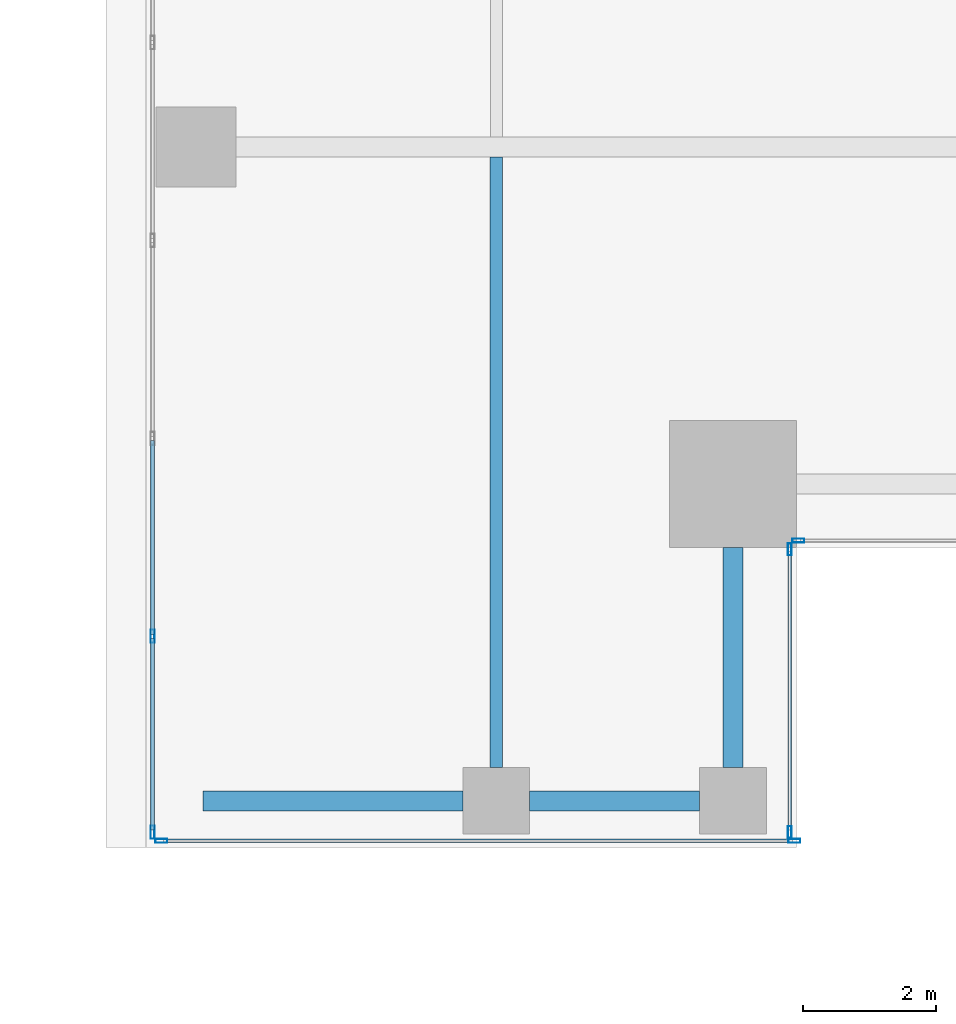
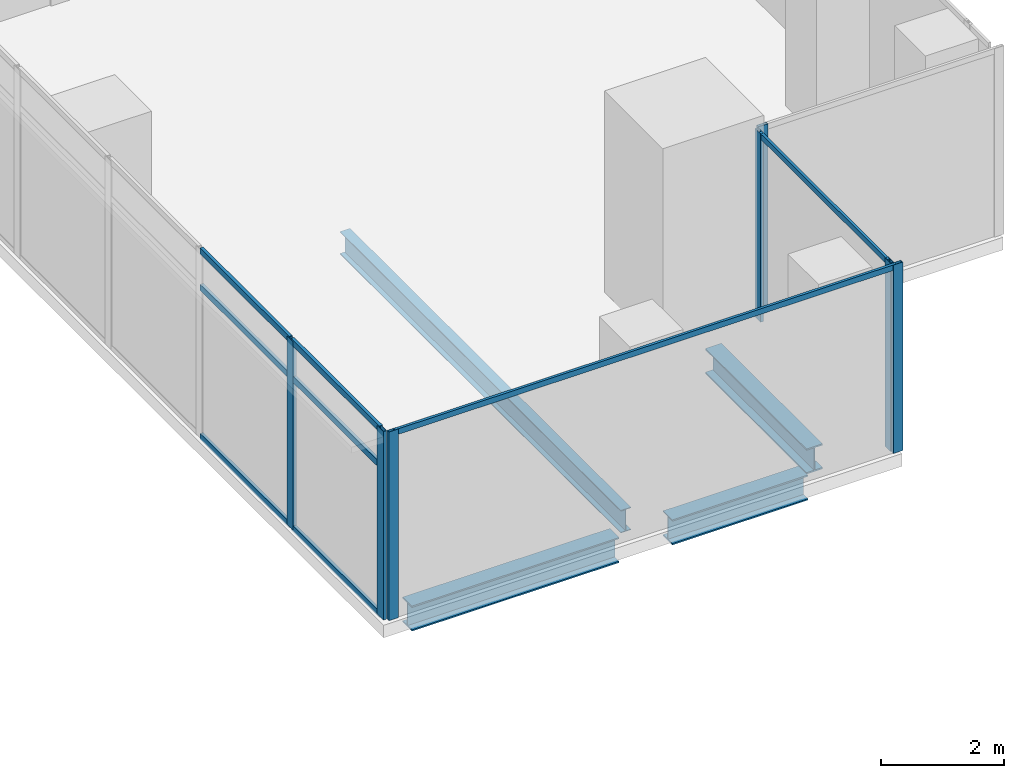
# One storey, part 9 of 40: 15 members, 4 beams, 4 elements without a shape of their own.
"""IFC4 building model written with IfcOpenShell, lengths in metres."""

from ifc_helpers import new_model, si_unit, direction, frame, origin, origin_2d, place, context, subcontext, project, spatial, hollow_rectangle, i_section, extrude, source, transform, mapped, material, material_profile, profile_set, type_object, element, aggregate, save


model = new_model("IFC4")

# Units and contexts
model_context = context("Model", 3, precision=1e-05, world=origin(), true_north=direction((0.0, 1.0)))
body_context = subcontext(model_context, "Body", "Model", "MODEL_VIEW")
ifc_project = project(units=[si_unit("LENGTHUNIT", "METRE"), si_unit("AREAUNIT", "SQUARE_METRE"), si_unit("VOLUMEUNIT", "CUBIC_METRE"), si_unit("PLANEANGLEUNIT", "RADIAN"), si_unit("MASSUNIT", "GRAM", prefix="KILO")], contexts=[model_context])

# Site, building, storey
site_placement = place(None, origin())
site = spatial("IfcSite", under=ifc_project, at=site_placement, CompositionType="ELEMENT")
building_placement = place(site_placement, origin())
building = spatial("IfcBuilding", under=site, at=building_placement, Name="Khomas Fold Tower", CompositionType="ELEMENT")
storey_placement = place(building_placement, frame((0.0, 0.0, 176.699951171875)))
storey = spatial("IfcBuildingStorey", under=building, at=storey_placement, Name="L38", CompositionType="ELEMENT", Elevation=176.699951171875)

# Beams
ifc_material_1 = material(Name="Steel S355", Category="steel")
ifc_material_profile_1 = material_profile(ifc_material_1, i_section(OverallWidth=0.300048828125, OverallDepth=0.5, WebThickness=0.014404296875, FlangeThickness=0.028076171875, at=origin_2d()), Name="HE 500 B")
ifc_profile_set_1 = profile_set([ifc_material_profile_1], Name="Steel S355")
beam_type_1 = type_object("IfcBeamType", Name="HE 500 B spandrel SB3", PredefinedType="SPANDREL", material=ifc_profile_set_1)
shared_shape_1 = source(origin(), body_context, "Body", "SweptSolid", [
    extrude(i_section(OverallWidth=0.300048828125, OverallDepth=0.5, WebThickness=0.014404296875, FlangeThickness=0.028076171875, at=origin_2d()), origin(), (0.0, 0.0, 1.0), 2.550048828125),
])
beam_1_placement = place(storey_placement, frame((42.5, 3.699951171875, -0.5), z_axis=(1.0, 0.0, 0.0), x_axis=(0.0, 1.0, 0.0)))
element("IfcBeam", 1, at=beam_1_placement, inside=storey, type_object=beam_type_1, Name="SB3", PredefinedType="SPANDREL", context=body_context, shape_type="MappedRepresentation", body=[
    mapped(shared_shape_1, transform((0.0, 0.0, 0.0))),
])
shared_shape_2 = source(origin(), body_context, "Body", "SweptSolid", [
    extrude(i_section(OverallWidth=0.300048828125, OverallDepth=0.5, WebThickness=0.014404296875, FlangeThickness=0.028076171875, at=origin_2d()), origin(), (0.0, 0.0, 1.0), 3.89990234375),
])
beam_2_placement = place(storey_placement, frame((37.60009765625, 3.699951171875, -0.5), z_axis=(1.0, 0.0, 0.0), x_axis=(0.0, 1.0, 0.0)))
element("IfcBeam", 2, at=beam_2_placement, inside=storey, type_object=beam_type_1, Name="SB3", PredefinedType="SPANDREL", context=body_context, shape_type="MappedRepresentation", body=[
    mapped(shared_shape_2, transform((0.0, 0.0, 0.0))),
])
shared_shape_3 = source(origin(), body_context, "Body", "SweptSolid", [
    extrude(i_section(OverallWidth=0.300048828125, OverallDepth=0.5, WebThickness=0.014404296875, FlangeThickness=0.028076171875, at=origin_2d()), origin(), (0.0, 0.0, 1.0), 3.300048828125),
])
beam_3_placement = place(storey_placement, frame((45.550048828125, 4.199951171875, -0.5), z_axis=(0.0, 1.0, 0.0), x_axis=(-1.0, 0.0, 0.0)))
element("IfcBeam", 3, at=beam_3_placement, inside=storey, type_object=beam_type_1, Name="SB3", PredefinedType="SPANDREL", context=body_context, shape_type="MappedRepresentation", body=[
    mapped(shared_shape_3, transform((0.0, 0.0, 0.0))),
])
ifc_material_2 = material(Name="Steel S355", Category="steel")
ifc_material_profile_2 = material_profile(ifc_material_2, i_section(OverallWidth=0.18994140625, OverallDepth=0.449951171875, WebThickness=0.009521484375, FlangeThickness=0.0146484375, at=origin_2d()), Name="IPE 450")
ifc_profile_set_2 = profile_set([ifc_material_profile_2], Name="Steel S355")
beam_type_2 = type_object("IfcBeamType", Name="IPE 450 beam JB4", PredefinedType="BEAM", material=ifc_profile_set_2)
shared_shape_4 = source(origin(), body_context, "Body", "SweptSolid", [
    extrude(i_section(OverallWidth=0.18994140625, OverallDepth=0.449951171875, WebThickness=0.009521484375, FlangeThickness=0.0146484375, at=origin_2d()), origin(), (0.0, 0.0, 1.0), 9.150146484375),
])
beam_4_placement = place(storey_placement, frame((42.0, 4.199951171875, -0.474853515625), z_axis=(0.0, 1.0, 0.0), x_axis=(-1.0, 0.0, 0.0)))
element("IfcBeam", 4, at=beam_4_placement, inside=storey, type_object=beam_type_2, Name="JB4", PredefinedType="BEAM", context=body_context, shape_type="MappedRepresentation", body=[
    mapped(shared_shape_4, transform((0.0, 0.0, 0.0))),
])

# Curtain wall, members
ifc_material_3 = material(Name="Aluminium framed double glazing", Category="aluminium")
curtain_wall_type_1 = type_object("IfcCurtainWallType", Name="SK-Unitised clear-glass wall, office floors CW2", PredefinedType="NOTDEFINED", material=ifc_material_3)
curtain_wall_1_placement = place(storey_placement, origin())
curtain_wall_1 = element("IfcCurtainWall", 5, at=curtain_wall_1_placement, inside=storey, type_object=curtain_wall_type_1, Name="CW2 run L38 05-0", PredefinedType="NOTDEFINED")
ifc_material_4 = material(Name="Aluminium", Category="aluminium")
ifc_material_profile_3 = material_profile(ifc_material_4, hollow_rectangle(XDim=0.06005859375, YDim=0.179931640625, WallThickness=0.00390625, at=origin_2d()), Name="SK-Unitised clear-glass wall, office floors mullion CW2-M")
ifc_profile_set_3 = profile_set([ifc_material_profile_3], Name="Aluminium")
member_type_1 = type_object("IfcMemberType", Name="SK-Unitised clear-glass wall, office floors mullion CW2-M", PredefinedType="MULLION", material=ifc_profile_set_3)
shared_shape_5 = source(origin(), body_context, "Body", "SweptSolid", [
    extrude(hollow_rectangle(XDim=0.06005859375, YDim=0.179931640625, WallThickness=0.00390625, at=origin_2d()), origin(), (0.0, 0.0, 1.0), 3.75),
])
member_1_placement = place(storey_placement, frame((36.97998046875, 3.10009765625, 0.0), z_axis=(0.0, 0.0, 1.0), x_axis=(0.0, 1.0, 0.0)))
member_1 = element("IfcMember", 6, at=member_1_placement, type_object=member_type_1, Name="CW2 mullion 1", PredefinedType="MULLION", context=body_context, shape_type="MappedRepresentation", body=[
    mapped(shared_shape_5, transform((0.0, 0.0, 0.0))),
])
member_2_placement = place(storey_placement, frame((46.469970703125, 3.10009765625, 0.0), z_axis=(0.0, 0.0, 1.0), x_axis=(0.0, 1.0, 0.0)))
member_2 = element("IfcMember", 7, at=member_2_placement, type_object=member_type_1, Name="CW2 mullion 2", PredefinedType="MULLION", context=body_context, shape_type="MappedRepresentation", body=[
    mapped(shared_shape_5, transform((0.0, 0.0, 0.0))),
])

curtain_wall_2_placement = place(storey_placement, origin())
curtain_wall_2 = element("IfcCurtainWall", 8, at=curtain_wall_2_placement, inside=storey, type_object=curtain_wall_type_1, Name="CW2 corner return L38 06", PredefinedType="NOTDEFINED")
member_3_placement = place(storey_placement, frame((46.39990234375, 3.22998046875, 0.0), z_axis=(0.0, 0.0, 1.0), x_axis=(-1.0, 0.0, 0.0)))
member_3 = element("IfcMember", 9, at=member_3_placement, type_object=member_type_1, Name="CW2 mullion 1", PredefinedType="MULLION", context=body_context, shape_type="MappedRepresentation", body=[
    mapped(shared_shape_5, transform((0.0, 0.0, 0.0))),
])
member_4_placement = place(storey_placement, frame((46.39990234375, 7.469970703125, 0.0), z_axis=(0.0, 0.0, 1.0), x_axis=(-1.0, 0.0, 0.0)))
member_4 = element("IfcMember", 10, at=member_4_placement, type_object=member_type_1, Name="CW2 mullion 2", PredefinedType="MULLION", context=body_context, shape_type="MappedRepresentation", body=[
    mapped(shared_shape_5, transform((0.0, 0.0, 0.0))),
])

# Curtain wall, member
curtain_wall_3_placement = place(storey_placement, origin())
curtain_wall_3 = element("IfcCurtainWall", 11, at=curtain_wall_3_placement, inside=storey, type_object=curtain_wall_type_1, Name="CW2 corner return L38 07", PredefinedType="NOTDEFINED")
member_5_placement = place(storey_placement, frame((46.530029296875, 7.60009765625, 0.0), z_axis=(0.0, 0.0, 1.0), x_axis=(0.0, 1.0, 0.0)))
member_5 = element("IfcMember", 12, at=member_5_placement, type_object=member_type_1, Name="CW2 mullion 1", PredefinedType="MULLION", context=body_context, shape_type="MappedRepresentation", body=[
    mapped(shared_shape_5, transform((0.0, 0.0, 0.0))),
])
aggregate(curtain_wall_3, [member_5])

# Member
ifc_material_5 = material(Name="Aluminium", Category="aluminium")
ifc_material_profile_4 = material_profile(ifc_material_5, hollow_rectangle(XDim=0.050048828125, YDim=0.110107421875, WallThickness=0.00390625, at=origin_2d()), Name="SK-Unitised clear-glass wall, office floors transom CW2-T")
ifc_profile_set_4 = profile_set([ifc_material_profile_4], Name="Aluminium")
member_type_2 = type_object("IfcMemberType", Name="SK-Unitised clear-glass wall, office floors transom CW2-T", PredefinedType="USERDEFINED", material=ifc_profile_set_4)
shared_shape_6 = source(origin(), body_context, "Body", "SweptSolid", [
    extrude(hollow_rectangle(XDim=0.050048828125, YDim=0.110107421875, WallThickness=0.00390625, at=origin_2d()), origin(), (0.0, 0.0, 1.0), 4.179931640625),
])
member_6_placement = place(storey_placement, frame((46.39990234375, 3.260009765625, 3.695068359375), z_axis=(0.0, 1.0, 0.0), x_axis=(-1.0, 0.0, 0.0)))
member_6 = element("IfcMember", 13, at=member_6_placement, type_object=member_type_2, Name="CW2 transom 1", ObjectType="TRANSOM", PredefinedType="USERDEFINED", context=body_context, shape_type="MappedRepresentation", body=[
    mapped(shared_shape_6, transform((0.0, 0.0, 0.0))),
])

aggregate(curtain_wall_2, [member_3, member_4, member_6])

shared_shape_7 = source(origin(), body_context, "Body", "SweptSolid", [
    extrude(hollow_rectangle(XDim=0.050048828125, YDim=0.110107421875, WallThickness=0.00390625, at=origin_2d()), origin(), (0.0, 0.0, 1.0), 9.429931640625),
])
member_7_placement = place(storey_placement, frame((37.010009765625, 3.10009765625, 3.695068359375), z_axis=(1.0, 0.0, 0.0), x_axis=(0.0, 1.0, 0.0)))
member_7 = element("IfcMember", 14, at=member_7_placement, type_object=member_type_2, Name="CW2 transom 1", ObjectType="TRANSOM", PredefinedType="USERDEFINED", context=body_context, shape_type="MappedRepresentation", body=[
    mapped(shared_shape_7, transform((0.0, 0.0, 0.0))),
])

aggregate(curtain_wall_1, [member_1, member_2, member_7])

# Curtain wall, members
ifc_material_6 = material(Name="Aluminium framed double glazing", Category="aluminium")
curtain_wall_type_2 = type_object("IfcCurtainWallType", Name="Notch glazing GN-CW", PredefinedType="NOTDEFINED", material=ifc_material_6)
curtain_wall_4_placement = place(storey_placement, origin())
curtain_wall_4 = element("IfcCurtainWall", 15, at=curtain_wall_4_placement, inside=storey, type_object=curtain_wall_type_2, Name="Notch glazing run", PredefinedType="NOTDEFINED")
ifc_material_7 = material(Name="Aluminium", Category="aluminium")
ifc_material_profile_5 = material_profile(ifc_material_7, hollow_rectangle(XDim=0.06005859375, YDim=0.1201171875, WallThickness=0.00390625, at=origin_2d()), Name="Notch glazing transom GN-CW-T")
ifc_profile_set_5 = profile_set([ifc_material_profile_5], Name="Aluminium")
member_type_3 = type_object("IfcMemberType", Name="Notch glazing transom GN-CW-T", PredefinedType="USERDEFINED", material=ifc_profile_set_5)
shared_shape_8 = source(origin(), body_context, "Body", "SweptSolid", [
    extrude(hollow_rectangle(XDim=0.06005859375, YDim=0.1201171875, WallThickness=0.00390625, at=origin_2d()), origin(), (0.0, 0.0, 1.0), 2.876708984375),
])
member_8_placement = place(storey_placement, frame((36.85009765625, 6.13671875, 0.030029296875), z_axis=(0.0, -1.0, 0.0), x_axis=(1.0, 0.0, 0.0)))
member_8 = element("IfcMember", 16, at=member_8_placement, type_object=member_type_3, Name="GN-CW transom 6.1", ObjectType="TRANSOM", PredefinedType="USERDEFINED", context=body_context, shape_type="MappedRepresentation", body=[
    mapped(shared_shape_8, transform((0.0, 0.0, 0.0))),
])
member_9_placement = place(storey_placement, frame((36.85009765625, 6.13671875, 3.0), z_axis=(0.0, -1.0, 0.0), x_axis=(1.0, 0.0, 0.0)))
member_9 = element("IfcMember", 17, at=member_9_placement, type_object=member_type_3, Name="GN-CW transom 6.2", ObjectType="TRANSOM", PredefinedType="USERDEFINED", context=body_context, shape_type="MappedRepresentation", body=[
    mapped(shared_shape_8, transform((0.0, 0.0, 0.0))),
])
member_10_placement = place(storey_placement, frame((36.85009765625, 6.13671875, 3.719970703125), z_axis=(0.0, -1.0, 0.0), x_axis=(1.0, 0.0, 0.0)))
member_10 = element("IfcMember", 18, at=member_10_placement, type_object=member_type_3, Name="GN-CW transom 6.3", ObjectType="TRANSOM", PredefinedType="USERDEFINED", context=body_context, shape_type="MappedRepresentation", body=[
    mapped(shared_shape_8, transform((0.0, 0.0, 0.0))),
])
shared_shape_9 = source(origin(), body_context, "Body", "SweptSolid", [
    extrude(hollow_rectangle(XDim=0.06005859375, YDim=0.1201171875, WallThickness=0.00390625, at=origin_2d()), origin(), (0.0, 0.0, 1.0), 2.906494140625),
])
member_11_placement = place(storey_placement, frame((36.85009765625, 9.103271484375, 0.030029296875), z_axis=(0.0, -1.0, 0.0), x_axis=(1.0, 0.0, 0.0)))
member_11 = element("IfcMember", 19, at=member_11_placement, type_object=member_type_3, Name="GN-CW transom 5.1", ObjectType="TRANSOM", PredefinedType="USERDEFINED", context=body_context, shape_type="MappedRepresentation", body=[
    mapped(shared_shape_9, transform((0.0, 0.0, 0.0))),
])
member_12_placement = place(storey_placement, frame((36.85009765625, 9.103271484375, 3.0), z_axis=(0.0, -1.0, 0.0), x_axis=(1.0, 0.0, 0.0)))
member_12 = element("IfcMember", 20, at=member_12_placement, type_object=member_type_3, Name="GN-CW transom 5.2", ObjectType="TRANSOM", PredefinedType="USERDEFINED", context=body_context, shape_type="MappedRepresentation", body=[
    mapped(shared_shape_9, transform((0.0, 0.0, 0.0))),
])
member_13_placement = place(storey_placement, frame((36.85009765625, 9.103271484375, 3.719970703125), z_axis=(0.0, -1.0, 0.0), x_axis=(1.0, 0.0, 0.0)))
member_13 = element("IfcMember", 21, at=member_13_placement, type_object=member_type_3, Name="GN-CW transom 5.3", ObjectType="TRANSOM", PredefinedType="USERDEFINED", context=body_context, shape_type="MappedRepresentation", body=[
    mapped(shared_shape_9, transform((0.0, 0.0, 0.0))),
])
ifc_material_8 = material(Name="Aluminium", Category="aluminium")
ifc_material_profile_6 = material_profile(ifc_material_8, hollow_rectangle(XDim=0.06005859375, YDim=0.199951171875, WallThickness=0.00390625, at=origin_2d()), Name="Notch glazing mullion GN-CW-M")
ifc_profile_set_6 = profile_set([ifc_material_profile_6], Name="Aluminium")
member_type_4 = type_object("IfcMemberType", Name="Notch glazing mullion GN-CW-M", PredefinedType="MULLION", material=ifc_profile_set_6)
shared_shape_10 = source(origin(), body_context, "Body", "SweptSolid", [
    extrude(hollow_rectangle(XDim=0.06005859375, YDim=0.199951171875, WallThickness=0.00390625, at=origin_2d()), origin(), (0.0, 0.0, 1.0), 3.75),
])
member_14_placement = place(storey_placement, frame((36.85009765625, 6.166748046875, 0.0), z_axis=(0.0, 0.0, 1.0), x_axis=(1.0, 0.0, 0.0)))
member_14 = element("IfcMember", 22, at=member_14_placement, type_object=member_type_4, Name="GN-CW mullion 6", PredefinedType="MULLION", context=body_context, shape_type="MappedRepresentation", body=[
    mapped(shared_shape_10, transform((0.0, 0.0, 0.0))),
])
member_15_placement = place(storey_placement, frame((36.85009765625, 3.22998046875, 0.0), z_axis=(0.0, 0.0, 1.0), x_axis=(1.0, 0.0, 0.0)))
member_15 = element("IfcMember", 23, at=member_15_placement, type_object=member_type_4, Name="GN-CW mullion 7", PredefinedType="MULLION", context=body_context, shape_type="MappedRepresentation", body=[
    mapped(shared_shape_10, transform((0.0, 0.0, 0.0))),
])
aggregate(curtain_wall_4, [member_14, member_15, member_11, member_12, member_13, member_8, member_9, member_10])

save(model, "model.ifc")
